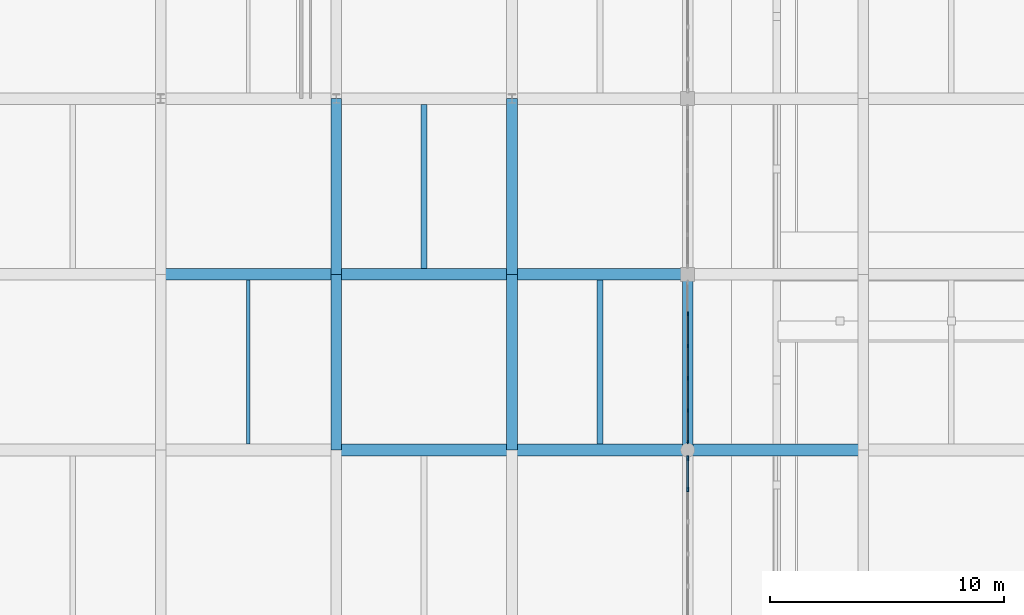
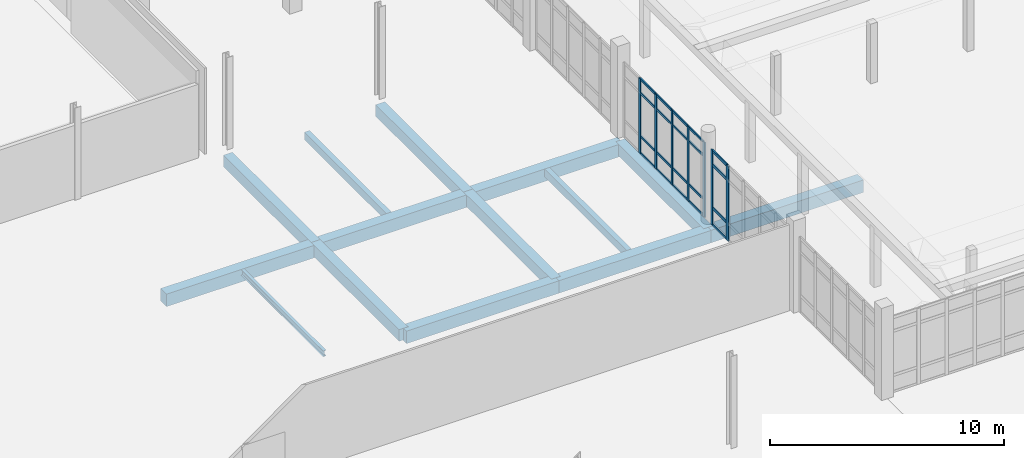
# One storey, part 37 of 125: 27 members, 14 beams, 2 elements without a shape of their own.
"""IFC4 building model written with IfcOpenShell, lengths in metres."""

from ifc_helpers import new_model, si_unit, direction, frame, origin, origin_2d, place, context, subcontext, project, spatial, rectangle, i_section, extrude, material, layer, layer_set, material_profile, profile_set, type_object, element, aggregate, save


model = new_model("IFC4")

# Units and contexts
model_context = context("Model", 3, precision=1e-05, world=origin(), true_north=direction((0.0, 1.0)))
body_context = subcontext(model_context, "Body", "Model", "MODEL_VIEW")
ifc_project = project(units=[si_unit("LENGTHUNIT", "METRE"), si_unit("AREAUNIT", "SQUARE_METRE"), si_unit("VOLUMEUNIT", "CUBIC_METRE"), si_unit("PLANEANGLEUNIT", "RADIAN"), si_unit("MASSUNIT", "GRAM", prefix="KILO")], contexts=[model_context])

# Site, building, storey
site_placement = place(None, origin())
site = spatial("IfcSite", under=ifc_project, at=site_placement, CompositionType="ELEMENT")
building_placement = place(site_placement, origin())
building = spatial("IfcBuilding", under=site, at=building_placement, Name="Dalvernix Boulevard General Hospital", CompositionType="ELEMENT")
storey_placement = place(building_placement, origin())
storey = spatial("IfcBuildingStorey", under=building, at=storey_placement, Name="L00", CompositionType="ELEMENT", Elevation=0.0)

# Beams
ifc_material_1 = material(Name="Concrete C35/45", Category="concrete")
ifc_material_profile_1 = material_profile(ifc_material_1, rectangle(XDim=0.5, YDim=0.64990234375, at=origin_2d()), Name="RCB 500x650")
ifc_profile_set_1 = profile_set([ifc_material_profile_1], Name="Concrete C35/45")
beam_type_1 = type_object("IfcBeamType", Name="BM-B-02-I", PredefinedType="BEAM", material=ifc_profile_set_1)
for number, where, z_axis, x_axis, name in (
    (1, (97.5, 46.5, -0.68505859375), (1.0, 0.0, 0.0), (0.0, 1.0, 0.0), "L00 E-W girder G:14-15"),
    (2, (105.0, 46.5, -0.68505859375), (1.0, 0.0, 0.0), (0.0, 1.0, 0.0), "L00 E-W girder G:15-16"),
    (3, (112.5, 46.5, -0.68505859375), (1.0, 0.0, 0.0), (0.0, 1.0, 0.0), "L00 E-W girder G:16-17"),
    (4, (90.0, 54.0, -0.68505859375), (1.0, 0.0, 0.0), (0.0, 1.0, 0.0), "L00 E-W girder H:13-14"),
    (5, (97.5, 54.0, -0.68505859375), (1.0, 0.0, 0.0), (0.0, 1.0, 0.0), "L00 E-W girder H:14-15"),
    (6, (105.0, 54.0, -0.68505859375), (1.0, 0.0, 0.0), (0.0, 1.0, 0.0), "L00 E-W girder H:15-16"),
):
    element("IfcBeam", number, at=place(storey_placement, frame(where, z_axis=z_axis, x_axis=x_axis)), inside=storey, type_object=beam_type_1, Name=name, PredefinedType="BEAM", context=body_context, shape_type="SweptSolid", body=[
        extrude(rectangle(XDim=0.5, YDim=0.64990234375, at=origin_2d()), origin(), (0.0, 0.0, 1.0), 7.5),
    ])
ifc_material_profile_2 = material_profile(ifc_material_1, rectangle(XDim=0.449951171875, YDim=0.60009765625, at=origin_2d()), Name="RCB 450x600")
ifc_profile_set_2 = profile_set([ifc_material_profile_2], Name="Concrete C35/45")
beam_type_2 = type_object("IfcBeamType", Name="BM-B-04-I", PredefinedType="BEAM", material=ifc_profile_set_2)
for number, where, z_axis, x_axis, name in (
    (7, (97.5, 46.5, -0.659912109375), (0.0, 1.0, 0.0), (-1.0, 0.0, 0.0), "L00 N-S girder 14:G-H"),
    (8, (97.5, 54.0, -0.659912109375), (0.0, 1.0, 0.0), (-1.0, 0.0, 0.0), "L00 N-S girder 14:H-J"),
    (9, (105.0, 46.5, -0.659912109375), (0.0, 1.0, 0.0), (-1.0, 0.0, 0.0), "L00 N-S girder 15:G-H"),
    (10, (105.0, 54.0, -0.659912109375), (0.0, 1.0, 0.0), (-1.0, 0.0, 0.0), "L00 N-S girder 15:H-J"),
    (11, (112.5, 46.5, -0.659912109375), (0.0, 1.0, 0.0), (-1.0, 0.0, 0.0), "L00 N-S girder 16:G-H"),
):
    element("IfcBeam", number, at=place(storey_placement, frame(where, z_axis=z_axis, x_axis=x_axis)), inside=storey, type_object=beam_type_2, Name=name, PredefinedType="BEAM", context=body_context, shape_type="SweptSolid", body=[
        extrude(rectangle(XDim=0.449951171875, YDim=0.60009765625, at=origin_2d()), origin(), (0.0, 0.0, 1.0), 7.5),
    ])
ifc_material_profile_3 = material_profile(ifc_material_1, rectangle(XDim=0.25, YDim=0.39990234375, at=origin_2d()), Name="RCB 250x400")
ifc_profile_set_3 = profile_set([ifc_material_profile_3], Name="Concrete C35/45")
beam_type_3 = type_object("IfcBeamType", Name="BM-JB-02", PredefinedType="JOIST", material=ifc_profile_set_3)
for number, where, z_axis, x_axis, name in (
    (12, (101.25, 54.25, -0.56005859375), (0.0, 1.0, 0.0), (-1.0, 0.0, 0.0), "L00 secondary floor beam 14-H"),
    (13, (108.75, 46.75, -0.56005859375), (0.0, 1.0, 0.0), (-1.0, 0.0, 0.0), "L00 secondary floor beam 15-G"),
):
    element("IfcBeam", number, at=place(storey_placement, frame(where, z_axis=z_axis, x_axis=x_axis)), inside=storey, type_object=beam_type_3, Name=name, PredefinedType="JOIST", context=body_context, shape_type="SweptSolid", body=[
        extrude(rectangle(XDim=0.25, YDim=0.39990234375, at=origin_2d()), origin(), (0.0, 0.0, 1.0), 7.0),
    ])
ifc_material_2 = material(Name="Steel S355", Category="steel")
ifc_material_profile_4 = material_profile(ifc_material_2, i_section(OverallWidth=0.14990234375, OverallDepth=0.300048828125, WebThickness=0.007080078125, FlangeThickness=0.0107421875, FilletRadius=0.014892578125, at=origin_2d()), Name="IPE 300")
ifc_profile_set_4 = profile_set([ifc_material_profile_4], Name="Steel S355")
beam_type_4 = type_object("IfcBeamType", Name="BM-JB-03", PredefinedType="JOIST", material=ifc_profile_set_4)
beam_placement = place(storey_placement, frame((93.75, 46.75, -0.510009765625), z_axis=(0.0, 1.0, 0.0), x_axis=(-1.0, 0.0, 0.0)))
element("IfcBeam", 14, at=beam_placement, inside=storey, type_object=beam_type_4, Name="L00 secondary floor beam 13-G", PredefinedType="JOIST", context=body_context, shape_type="SweptSolid", body=[
    extrude(i_section(OverallWidth=0.14990234375, OverallDepth=0.300048828125, WebThickness=0.007080078125, FlangeThickness=0.0107421875, FilletRadius=0.014892578125, at=origin_2d()), origin(), (0.0, 0.0, 1.0), 7.0),
])

# Curtain wall, members
ifc_material_3 = material(Name="Thermally broken aluminium and solar-control glass curtain wall", Category="aluminium")
ifc_layer_1 = layer(ifc_material_3, 0.159912109375)
ifc_layer_set_1 = layer_set([ifc_layer_1], Name="Thermally broken aluminium and solar-control glass curtain wall (CW-CW-A-69x39)")
curtain_wall_type_1 = type_object("IfcCurtainWallType", Name="CW-CW-A-69x39", PredefinedType="USERDEFINED", material=ifc_layer_set_1)
curtain_wall_1_placement = place(storey_placement, origin())
curtain_wall_1 = element("IfcCurtainWall", 15, at=curtain_wall_1_placement, inside=storey, type_object=curtain_wall_type_1, Name="L00 curtain wall CW-A-69x39 15-6", ObjectType="GLAZED FACADE", PredefinedType="USERDEFINED")
ifc_material_4 = material(Name="Aluminium EN AW-6060", Category="aluminium")
ifc_material_profile_5 = material_profile(ifc_material_4, rectangle(XDim=0.06005859375, YDim=0.159912109375, at=origin_2d()), Name="ALU MULL 60x160")
ifc_profile_set_5 = profile_set([ifc_material_profile_5], Name="Aluminium EN AW-6060")
member_type_1 = type_object("IfcMemberType", Name="MEM-CW-M1", PredefinedType="MULLION", material=ifc_profile_set_5)
member_1_placement = place(storey_placement, frame((112.5, 52.31396484375, 0.0), z_axis=(0.0, 0.0, 1.0), x_axis=(1.0, 0.0, 0.0)))
member_1 = element("IfcMember", 16, at=member_1_placement, type_object=member_type_1, Name="CW-A-69x39 mullion 2", PredefinedType="MULLION", context=body_context, shape_type="SweptSolid", body=[
    extrude(rectangle(XDim=0.06005859375, YDim=0.159912109375, at=origin_2d()), origin(), (0.0, 0.0, 1.0), 3.89990234375),
])
member_2_placement = place(storey_placement, frame((112.5, 50.93798828125, 0.0), z_axis=(0.0, 0.0, 1.0), x_axis=(1.0, 0.0, 0.0)))
member_2 = element("IfcMember", 17, at=member_2_placement, type_object=member_type_1, Name="CW-A-69x39 mullion 3", PredefinedType="MULLION", context=body_context, shape_type="SweptSolid", body=[
    extrude(rectangle(XDim=0.06005859375, YDim=0.159912109375, at=origin_2d()), origin(), (0.0, 0.0, 1.0), 3.89990234375),
])
member_3_placement = place(storey_placement, frame((112.5, 49.56201171875, 0.0), z_axis=(0.0, 0.0, 1.0), x_axis=(1.0, 0.0, 0.0)))
member_3 = element("IfcMember", 18, at=member_3_placement, type_object=member_type_1, Name="CW-A-69x39 mullion 4", PredefinedType="MULLION", context=body_context, shape_type="SweptSolid", body=[
    extrude(rectangle(XDim=0.06005859375, YDim=0.159912109375, at=origin_2d()), origin(), (0.0, 0.0, 1.0), 3.89990234375),
])
member_4_placement = place(storey_placement, frame((112.5, 48.18603515625, 0.0), z_axis=(0.0, 0.0, 1.0), x_axis=(1.0, 0.0, 0.0)))
member_4 = element("IfcMember", 19, at=member_4_placement, type_object=member_type_1, Name="CW-A-69x39 mullion 5", PredefinedType="MULLION", context=body_context, shape_type="SweptSolid", body=[
    extrude(rectangle(XDim=0.06005859375, YDim=0.159912109375, at=origin_2d()), origin(), (0.0, 0.0, 1.0), 3.89990234375),
])
member_5_placement = place(storey_placement, frame((112.5, 46.840087890625, 0.0), z_axis=(0.0, 0.0, 1.0), x_axis=(1.0, 0.0, 0.0)))
member_5 = element("IfcMember", 20, at=member_5_placement, type_object=member_type_1, Name="CW-A-69x39 mullion 6", PredefinedType="MULLION", context=body_context, shape_type="SweptSolid", body=[
    extrude(rectangle(XDim=0.06005859375, YDim=0.159912109375, at=origin_2d()), origin(), (0.0, 0.0, 1.0), 3.89990234375),
])

ifc_layer_2 = layer(ifc_material_3, 0.199951171875)
ifc_layer_set_2 = layer_set([ifc_layer_2], Name="Thermally broken aluminium and solar-control glass curtain wall (CW-CW-C-69x39)")
curtain_wall_type_2 = type_object("IfcCurtainWallType", Name="CW-CW-C-69x39", PredefinedType="USERDEFINED", material=ifc_layer_set_2)
curtain_wall_2_placement = place(storey_placement, origin())
curtain_wall_2 = element("IfcCurtainWall", 21, at=curtain_wall_2_placement, inside=storey, type_object=curtain_wall_type_2, Name="L00 curtain wall CW-C-69x39 15-5", ObjectType="GLAZED FACADE", PredefinedType="USERDEFINED")
ifc_material_profile_6 = material_profile(ifc_material_4, rectangle(XDim=0.070068359375, YDim=0.199951171875, at=origin_2d()), Name="ALU MULL 70x200")
ifc_profile_set_6 = profile_set([ifc_material_profile_6], Name="Aluminium EN AW-6060")
member_type_2 = type_object("IfcMemberType", Name="MEM-CW-M3", PredefinedType="MULLION", material=ifc_profile_set_6)
member_6_placement = place(storey_placement, frame((112.5, 46.155029296875, 0.0), z_axis=(0.0, 0.0, 1.0), x_axis=(1.0, 0.0, 0.0)))
member_6 = element("IfcMember", 22, at=member_6_placement, type_object=member_type_2, Name="CW-C-69x39 mullion 1", PredefinedType="MULLION", context=body_context, shape_type="SweptSolid", body=[
    extrude(rectangle(XDim=0.070068359375, YDim=0.199951171875, at=origin_2d()), origin(), (0.0, 0.0, 1.0), 3.89990234375),
])
member_7_placement = place(storey_placement, frame((112.5, 44.81396484375, 0.0), z_axis=(0.0, 0.0, 1.0), x_axis=(1.0, 0.0, 0.0)))
member_7 = element("IfcMember", 23, at=member_7_placement, type_object=member_type_2, Name="CW-C-69x39 mullion 2", PredefinedType="MULLION", context=body_context, shape_type="SweptSolid", body=[
    extrude(rectangle(XDim=0.070068359375, YDim=0.199951171875, at=origin_2d()), origin(), (0.0, 0.0, 1.0), 3.89990234375),
])

# Member
ifc_material_profile_7 = material_profile(ifc_material_4, rectangle(XDim=0.06005859375, YDim=0.1201171875, at=origin_2d()), Name="ALU TRAN 60x120")
ifc_profile_set_7 = profile_set([ifc_material_profile_7], Name="Aluminium EN AW-6060")
member_type_3 = type_object("IfcMemberType", Name="MEM-CW-T1", PredefinedType="USERDEFINED", material=ifc_profile_set_7)
member_8_placement = place(storey_placement, frame((112.5, 52.283935546875, 0.030029296875), z_axis=(0.0, -1.0, 0.0), x_axis=(1.0, 0.0, 0.0)))
member_8 = element("IfcMember", 24, at=member_8_placement, type_object=member_type_3, Name="CW-A-69x39 transom 2.1", ObjectType="TRANSOM", PredefinedType="USERDEFINED", context=body_context, shape_type="SweptSolid", body=[
    extrude(rectangle(XDim=0.06005859375, YDim=0.1201171875, at=origin_2d()), origin(), (0.0, 0.0, 1.0), 1.31591796875),
])

member_9_placement = place(storey_placement, frame((112.5, 52.283935546875, 0.89990234375), z_axis=(0.0, -1.0, 0.0), x_axis=(1.0, 0.0, 0.0)))
member_9 = element("IfcMember", 25, at=member_9_placement, type_object=member_type_3, Name="CW-A-69x39 transom 2.2", ObjectType="TRANSOM", PredefinedType="USERDEFINED", context=body_context, shape_type="SweptSolid", body=[
    extrude(rectangle(XDim=0.06005859375, YDim=0.1201171875, at=origin_2d()), origin(), (0.0, 0.0, 1.0), 1.31591796875),
])

member_10_placement = place(storey_placement, frame((112.5, 52.283935546875, 3.14990234375), z_axis=(0.0, -1.0, 0.0), x_axis=(1.0, 0.0, 0.0)))
member_10 = element("IfcMember", 26, at=member_10_placement, type_object=member_type_3, Name="CW-A-69x39 transom 2.3", ObjectType="TRANSOM", PredefinedType="USERDEFINED", context=body_context, shape_type="SweptSolid", body=[
    extrude(rectangle(XDim=0.06005859375, YDim=0.1201171875, at=origin_2d()), origin(), (0.0, 0.0, 1.0), 1.31591796875),
])

member_11_placement = place(storey_placement, frame((112.5, 52.283935546875, 3.8701171875), z_axis=(0.0, -1.0, 0.0), x_axis=(1.0, 0.0, 0.0)))
member_11 = element("IfcMember", 27, at=member_11_placement, type_object=member_type_3, Name="CW-A-69x39 transom 2.4", ObjectType="TRANSOM", PredefinedType="USERDEFINED", context=body_context, shape_type="SweptSolid", body=[
    extrude(rectangle(XDim=0.06005859375, YDim=0.1201171875, at=origin_2d()), origin(), (0.0, 0.0, 1.0), 1.31591796875),
])

member_12_placement = place(storey_placement, frame((112.5, 50.907958984375, 0.030029296875), z_axis=(0.0, -1.0, 0.0), x_axis=(1.0, 0.0, 0.0)))
member_12 = element("IfcMember", 28, at=member_12_placement, type_object=member_type_3, Name="CW-A-69x39 transom 3.1", ObjectType="TRANSOM", PredefinedType="USERDEFINED", context=body_context, shape_type="SweptSolid", body=[
    extrude(rectangle(XDim=0.06005859375, YDim=0.1201171875, at=origin_2d()), origin(), (0.0, 0.0, 1.0), 1.31591796875),
])

member_13_placement = place(storey_placement, frame((112.5, 50.907958984375, 0.89990234375), z_axis=(0.0, -1.0, 0.0), x_axis=(1.0, 0.0, 0.0)))
member_13 = element("IfcMember", 29, at=member_13_placement, type_object=member_type_3, Name="CW-A-69x39 transom 3.2", ObjectType="TRANSOM", PredefinedType="USERDEFINED", context=body_context, shape_type="SweptSolid", body=[
    extrude(rectangle(XDim=0.06005859375, YDim=0.1201171875, at=origin_2d()), origin(), (0.0, 0.0, 1.0), 1.31591796875),
])

member_14_placement = place(storey_placement, frame((112.5, 50.907958984375, 3.14990234375), z_axis=(0.0, -1.0, 0.0), x_axis=(1.0, 0.0, 0.0)))
member_14 = element("IfcMember", 30, at=member_14_placement, type_object=member_type_3, Name="CW-A-69x39 transom 3.3", ObjectType="TRANSOM", PredefinedType="USERDEFINED", context=body_context, shape_type="SweptSolid", body=[
    extrude(rectangle(XDim=0.06005859375, YDim=0.1201171875, at=origin_2d()), origin(), (0.0, 0.0, 1.0), 1.31591796875),
])

member_15_placement = place(storey_placement, frame((112.5, 50.907958984375, 3.8701171875), z_axis=(0.0, -1.0, 0.0), x_axis=(1.0, 0.0, 0.0)))
member_15 = element("IfcMember", 31, at=member_15_placement, type_object=member_type_3, Name="CW-A-69x39 transom 3.4", ObjectType="TRANSOM", PredefinedType="USERDEFINED", context=body_context, shape_type="SweptSolid", body=[
    extrude(rectangle(XDim=0.06005859375, YDim=0.1201171875, at=origin_2d()), origin(), (0.0, 0.0, 1.0), 1.31591796875),
])

member_16_placement = place(storey_placement, frame((112.5, 49.531982421875, 0.030029296875), z_axis=(0.0, -1.0, 0.0), x_axis=(1.0, 0.0, 0.0)))
member_16 = element("IfcMember", 32, at=member_16_placement, type_object=member_type_3, Name="CW-A-69x39 transom 4.1", ObjectType="TRANSOM", PredefinedType="USERDEFINED", context=body_context, shape_type="SweptSolid", body=[
    extrude(rectangle(XDim=0.06005859375, YDim=0.1201171875, at=origin_2d()), origin(), (0.0, 0.0, 1.0), 1.31591796875),
])

member_17_placement = place(storey_placement, frame((112.5, 49.531982421875, 0.89990234375), z_axis=(0.0, -1.0, 0.0), x_axis=(1.0, 0.0, 0.0)))
member_17 = element("IfcMember", 33, at=member_17_placement, type_object=member_type_3, Name="CW-A-69x39 transom 4.2", ObjectType="TRANSOM", PredefinedType="USERDEFINED", context=body_context, shape_type="SweptSolid", body=[
    extrude(rectangle(XDim=0.06005859375, YDim=0.1201171875, at=origin_2d()), origin(), (0.0, 0.0, 1.0), 1.31591796875),
])

member_18_placement = place(storey_placement, frame((112.5, 49.531982421875, 3.14990234375), z_axis=(0.0, -1.0, 0.0), x_axis=(1.0, 0.0, 0.0)))
member_18 = element("IfcMember", 34, at=member_18_placement, type_object=member_type_3, Name="CW-A-69x39 transom 4.3", ObjectType="TRANSOM", PredefinedType="USERDEFINED", context=body_context, shape_type="SweptSolid", body=[
    extrude(rectangle(XDim=0.06005859375, YDim=0.1201171875, at=origin_2d()), origin(), (0.0, 0.0, 1.0), 1.31591796875),
])

member_19_placement = place(storey_placement, frame((112.5, 49.531982421875, 3.8701171875), z_axis=(0.0, -1.0, 0.0), x_axis=(1.0, 0.0, 0.0)))
member_19 = element("IfcMember", 35, at=member_19_placement, type_object=member_type_3, Name="CW-A-69x39 transom 4.4", ObjectType="TRANSOM", PredefinedType="USERDEFINED", context=body_context, shape_type="SweptSolid", body=[
    extrude(rectangle(XDim=0.06005859375, YDim=0.1201171875, at=origin_2d()), origin(), (0.0, 0.0, 1.0), 1.31591796875),
])

member_20_placement = place(storey_placement, frame((112.5, 48.156005859375, 0.030029296875), z_axis=(0.0, -1.0, 0.0), x_axis=(1.0, 0.0, 0.0)))
member_20 = element("IfcMember", 36, at=member_20_placement, type_object=member_type_3, Name="CW-A-69x39 transom 5.1", ObjectType="TRANSOM", PredefinedType="USERDEFINED", context=body_context, shape_type="SweptSolid", body=[
    extrude(rectangle(XDim=0.06005859375, YDim=0.1201171875, at=origin_2d()), origin(), (0.0, 0.0, 1.0), 1.285888671875),
])

member_21_placement = place(storey_placement, frame((112.5, 48.156005859375, 0.89990234375), z_axis=(0.0, -1.0, 0.0), x_axis=(1.0, 0.0, 0.0)))
member_21 = element("IfcMember", 37, at=member_21_placement, type_object=member_type_3, Name="CW-A-69x39 transom 5.2", ObjectType="TRANSOM", PredefinedType="USERDEFINED", context=body_context, shape_type="SweptSolid", body=[
    extrude(rectangle(XDim=0.06005859375, YDim=0.1201171875, at=origin_2d()), origin(), (0.0, 0.0, 1.0), 1.285888671875),
])

member_22_placement = place(storey_placement, frame((112.5, 48.156005859375, 3.14990234375), z_axis=(0.0, -1.0, 0.0), x_axis=(1.0, 0.0, 0.0)))
member_22 = element("IfcMember", 38, at=member_22_placement, type_object=member_type_3, Name="CW-A-69x39 transom 5.3", ObjectType="TRANSOM", PredefinedType="USERDEFINED", context=body_context, shape_type="SweptSolid", body=[
    extrude(rectangle(XDim=0.06005859375, YDim=0.1201171875, at=origin_2d()), origin(), (0.0, 0.0, 1.0), 1.285888671875),
])

member_23_placement = place(storey_placement, frame((112.5, 48.156005859375, 3.8701171875), z_axis=(0.0, -1.0, 0.0), x_axis=(1.0, 0.0, 0.0)))
member_23 = element("IfcMember", 39, at=member_23_placement, type_object=member_type_3, Name="CW-A-69x39 transom 5.4", ObjectType="TRANSOM", PredefinedType="USERDEFINED", context=body_context, shape_type="SweptSolid", body=[
    extrude(rectangle(XDim=0.06005859375, YDim=0.1201171875, at=origin_2d()), origin(), (0.0, 0.0, 1.0), 1.285888671875),
])

aggregate(curtain_wall_1, [member_1, member_2, member_3, member_4, member_5, member_8, member_9, member_10, member_11, member_12, member_13, member_14, member_15, member_16, member_17, member_18, member_19, member_20, member_21, member_22, member_23])

ifc_material_profile_8 = material_profile(ifc_material_4, rectangle(XDim=0.070068359375, YDim=0.14990234375, at=origin_2d()), Name="ALU TRAN 70x150")
ifc_profile_set_8 = profile_set([ifc_material_profile_8], Name="Aluminium EN AW-6060")
member_type_4 = type_object("IfcMemberType", Name="MEM-CW-T3", PredefinedType="USERDEFINED", material=ifc_profile_set_8)
member_24_placement = place(storey_placement, frame((112.5, 46.1201171875, 0.034912109375), z_axis=(0.0, -1.0, 0.0), x_axis=(1.0, 0.0, 0.0)))
member_24 = element("IfcMember", 40, at=member_24_placement, type_object=member_type_4, Name="CW-C-69x39 transom 1.1", ObjectType="TRANSOM", PredefinedType="USERDEFINED", context=body_context, shape_type="SweptSolid", body=[
    extrude(rectangle(XDim=0.070068359375, YDim=0.14990234375, at=origin_2d()), origin(), (0.0, 0.0, 1.0), 1.27099609375),
])

member_25_placement = place(storey_placement, frame((112.5, 46.1201171875, 0.89990234375), z_axis=(0.0, -1.0, 0.0), x_axis=(1.0, 0.0, 0.0)))
member_25 = element("IfcMember", 41, at=member_25_placement, type_object=member_type_4, Name="CW-C-69x39 transom 1.2", ObjectType="TRANSOM", PredefinedType="USERDEFINED", context=body_context, shape_type="SweptSolid", body=[
    extrude(rectangle(XDim=0.070068359375, YDim=0.14990234375, at=origin_2d()), origin(), (0.0, 0.0, 1.0), 1.27099609375),
])

member_26_placement = place(storey_placement, frame((112.5, 46.1201171875, 3.14990234375), z_axis=(0.0, -1.0, 0.0), x_axis=(1.0, 0.0, 0.0)))
member_26 = element("IfcMember", 42, at=member_26_placement, type_object=member_type_4, Name="CW-C-69x39 transom 1.3", ObjectType="TRANSOM", PredefinedType="USERDEFINED", context=body_context, shape_type="SweptSolid", body=[
    extrude(rectangle(XDim=0.070068359375, YDim=0.14990234375, at=origin_2d()), origin(), (0.0, 0.0, 1.0), 1.27099609375),
])

member_27_placement = place(storey_placement, frame((112.5, 46.1201171875, 3.864990234375), z_axis=(0.0, -1.0, 0.0), x_axis=(1.0, 0.0, 0.0)))
member_27 = element("IfcMember", 43, at=member_27_placement, type_object=member_type_4, Name="CW-C-69x39 transom 1.4", ObjectType="TRANSOM", PredefinedType="USERDEFINED", context=body_context, shape_type="SweptSolid", body=[
    extrude(rectangle(XDim=0.070068359375, YDim=0.14990234375, at=origin_2d()), origin(), (0.0, 0.0, 1.0), 1.27099609375),
])

aggregate(curtain_wall_2, [member_6, member_7, member_24, member_25, member_26, member_27])

save(model, "model.ifc")
